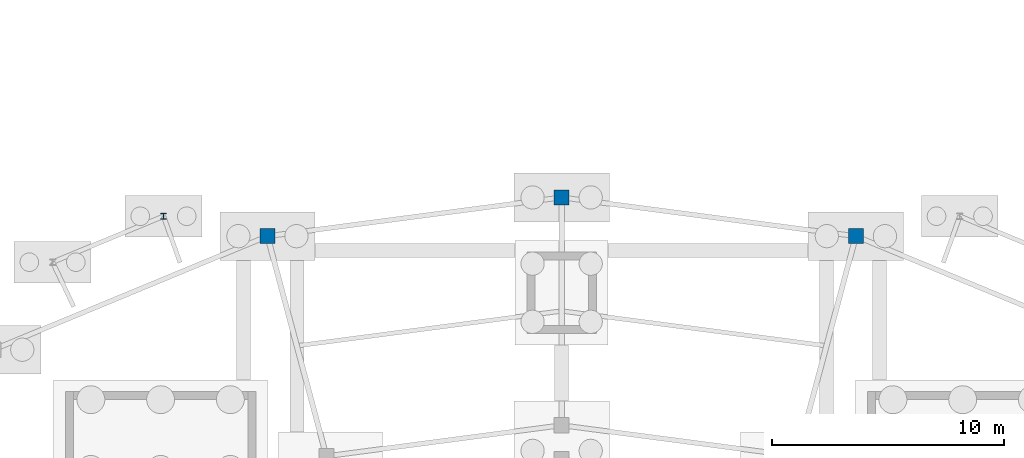
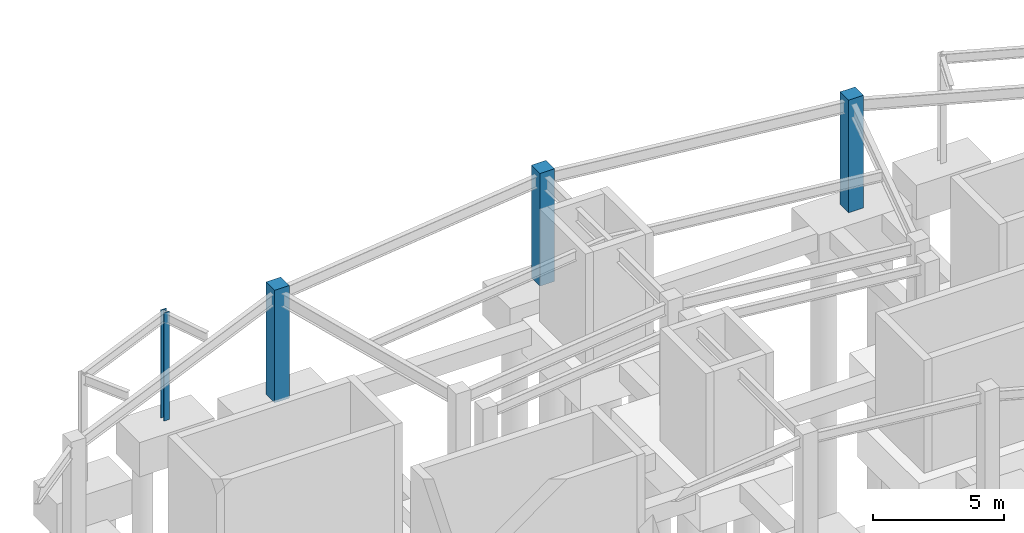
# One storey, part 27 of 55: 4 columns.
"""IFC4 building model written with IfcOpenShell, lengths in metres."""

from ifc_helpers import new_model, si_unit, direction, frame, origin, origin_2d, place, context, subcontext, project, spatial, rectangle, i_section, extrude, material, material_profile, profile_set, type_object, element, save


model = new_model("IFC4")

# Units and contexts
model_context = context("Model", 3, precision=1e-05, world=origin(), true_north=direction((0.0, 1.0)))
body_context = subcontext(model_context, "Body", "Model", "MODEL_VIEW")
ifc_project = project(units=[si_unit("LENGTHUNIT", "METRE"), si_unit("AREAUNIT", "SQUARE_METRE"), si_unit("VOLUMEUNIT", "CUBIC_METRE"), si_unit("PLANEANGLEUNIT", "RADIAN"), si_unit("MASSUNIT", "GRAM", prefix="KILO")], contexts=[model_context])

# Site, building, storey
site_placement = place(None, origin())
site = spatial("IfcSite", under=ifc_project, at=site_placement, CompositionType="ELEMENT")
building_placement = place(site_placement, origin())
building = spatial("IfcBuilding", under=site, at=building_placement, Name="Almandine Court Research Institute", CompositionType="ELEMENT")
storey_placement = place(building_placement, frame((0.0, 0.0, -5.25)))
storey = spatial("IfcBuildingStorey", under=building, at=storey_placement, Name="B1", CompositionType="ELEMENT", Elevation=-5.25)

# Columns
ifc_material_1 = material(Name="Concrete C40/50", Category="concrete")
ifc_material_profile_1 = material_profile(ifc_material_1, rectangle(XDim=0.64990234375, YDim=0.64990234375, at=origin_2d()), Name="RC 650x650")
ifc_profile_set_1 = profile_set([ifc_material_profile_1], Name="Concrete C40/50")
column_type_1 = type_object("IfcColumnType", Name="Col-C-RC2", PredefinedType="COLUMN", material=ifc_profile_set_1)
for number, where, z_axis, x_axis, name in (
    (1, (99.656005859375, 103.23388671875, 0.0), (0.0, 0.0, 1.0), (1.0, 0.0, 0.0), "B1 V5 Column V5-OUT-S05"),
    (2, (87.0, 104.89990234375, 0.0), (0.0, 0.0, 1.0), (1.0, 0.0, 0.0), "B1 V5 Column V5-OUT-S06"),
    (3, (74.343994140625, 103.23388671875, 0.0), (0.0, 0.0, 1.0), (1.0, 0.0, 0.0), "B1 V5 Column V5-OUT-S07"),
):
    element("IfcColumn", number, at=place(storey_placement, frame(where, z_axis=z_axis, x_axis=x_axis)), inside=storey, type_object=column_type_1, Name=name, PredefinedType="COLUMN", context=body_context, shape_type="SweptSolid", body=[
        extrude(rectangle(XDim=0.64990234375, YDim=0.64990234375, at=origin_2d()), origin(), (0.0, 0.0, 1.0), 5.25),
    ])
ifc_material_2 = material(Name="Steel ASTM A992 Grade 50", Category="steel")
ifc_material_profile_2 = material_profile(ifc_material_2, i_section(OverallWidth=0.25390625, OverallDepth=0.2529296875, WebThickness=0.009033203125, FlangeThickness=0.013916015625, at=origin_2d()), Name="W250x73")
ifc_profile_set_2 = profile_set([ifc_material_profile_2], Name="Steel ASTM A992 Grade 50")
column_type_2 = type_object("IfcColumnType", Name="Col-C-W10", PredefinedType="COLUMN", material=ifc_profile_set_2)
column_placement = place(storey_placement, frame((69.875, 104.092041015625, 0.0), z_axis=(0.0, 0.0, 1.0), x_axis=(1.0, 0.0, 0.0)))
element("IfcColumn", 4, at=column_placement, inside=storey, type_object=column_type_2, Name="B1 Exterior Threshold Support Column PAD-DRUM-S07-C1", PredefinedType="COLUMN", context=body_context, shape_type="SweptSolid", body=[
    extrude(i_section(OverallWidth=0.25390625, OverallDepth=0.2529296875, WebThickness=0.009033203125, FlangeThickness=0.013916015625, at=origin_2d()), origin(), (0.0, 0.0, 1.0), 5.050048828125),
])

save(model, "model.ifc")
